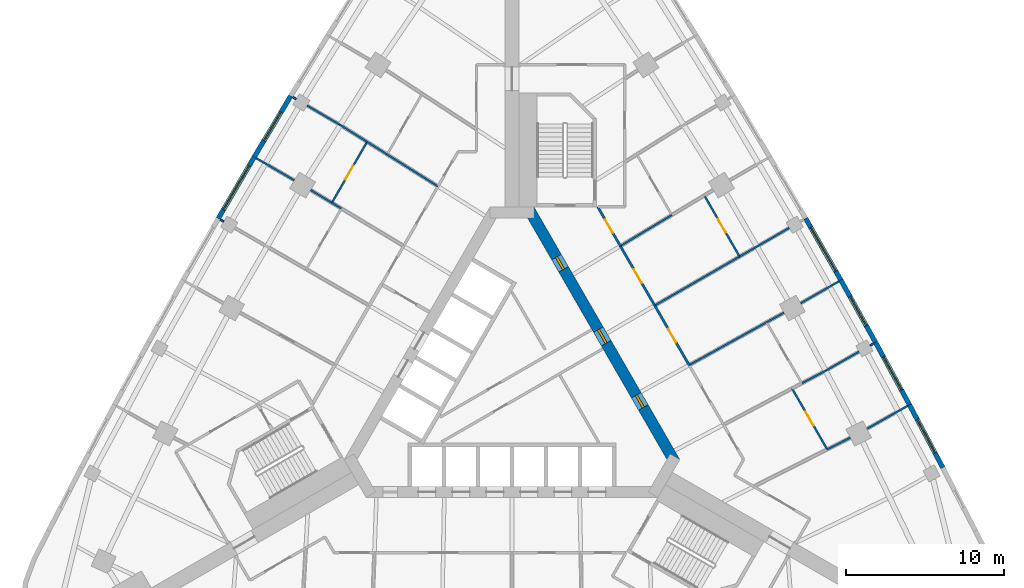
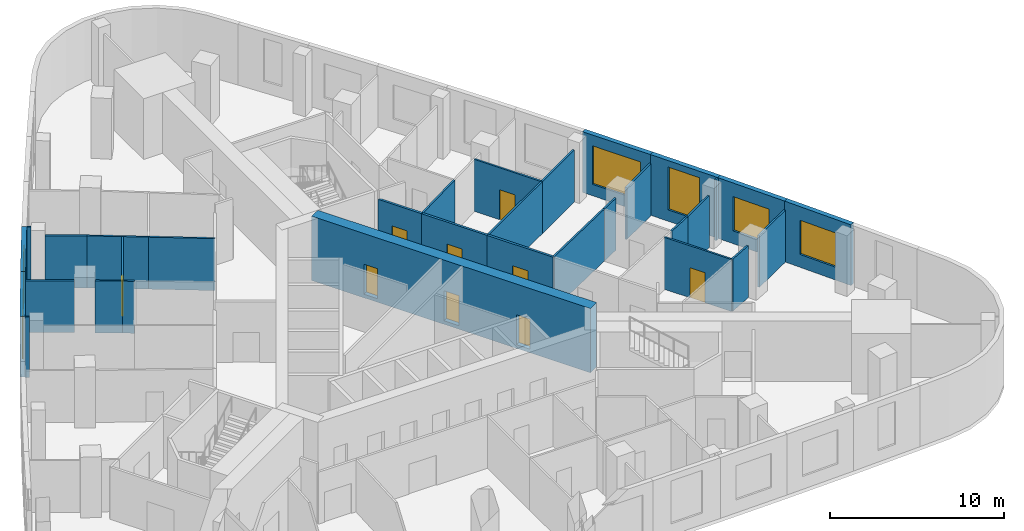
# One storey, part 8 of 11: 33 walls, 9 doors, 6 windows, 15 openings.
"""IFC4 building model written with IfcOpenShell, lengths in metres."""

from ifc_helpers import new_model, si_unit, direction, frame, frame_2d, origin, place, context, subcontext, project, spatial, rectangle, extrude, material, layer, layer_set, type_object, element, fill, save


model = new_model("IFC4")

# Units and contexts
model_context = context("Model", 3, precision=1e-05, world=origin(), true_north=direction((0.0, 1.0)))
body_context = subcontext(model_context, "Body", "Model", "MODEL_VIEW")
ifc_project = project(units=[si_unit("LENGTHUNIT", "METRE"), si_unit("AREAUNIT", "SQUARE_METRE"), si_unit("VOLUMEUNIT", "CUBIC_METRE"), si_unit("PLANEANGLEUNIT", "RADIAN"), si_unit("MASSUNIT", "GRAM", prefix="KILO")], contexts=[model_context])

# Site, building, storey
site_placement = place(None, origin())
site = spatial("IfcSite", under=ifc_project, at=site_placement, CompositionType="ELEMENT")
building_placement = place(site_placement, origin())
building = spatial("IfcBuilding", under=site, at=building_placement, Name="Noor Cloister Tower", CompositionType="ELEMENT")
storey_placement = place(building_placement, frame((0.0, 0.0, 6.0)))
storey = spatial("IfcBuildingStorey", under=building, at=storey_placement, Name="L01", CompositionType="ELEMENT", Elevation=6.0)

# Wall, openings, doors
ifc_material_1 = material(Name="Concrete C80/95", Category="concrete")
ifc_layer_1 = layer(ifc_material_1, 0.699951171875)
ifc_layer_set_1 = layer_set([ifc_layer_1], Name="Core wall 700 C80/95")
wall_type_1 = type_object("IfcWallType", Name="Core wall 700 C80/95", PredefinedType="SHEAR", material=ifc_layer_set_1)
wall_1_placement = place(storey_placement, frame((10.311279296875, -4.703125, -0.25), z_axis=(0.0, 0.0, 1.0), x_axis=(-0.500001446645, 0.866024568562, 0.0)))
wall_1 = element("IfcWall", 1, at=wall_1_placement, inside=storey, type_object=wall_type_1, Name="Core wall L01 3", PredefinedType="SHEAR", context=body_context, shape_type="SweptSolid", body=[
    extrude(rectangle(XDim=18.45751953125, YDim=0.699951171875, at=frame_2d((9.228759765625, 0.0))), origin(), (0.0, 0.0, 1.0), 4.5),
])
opening_1_placement = place(wall_1_placement, frame((8.699951171875, 0.0, 0.25)))
opening_1 = element("IfcOpeningElement", 2, at=opening_1_placement, cuts=wall_1, Name="Opening L01-901", PredefinedType="OPENING", context=body_context, shape_type="SweptSolid", body=[
    extrude(rectangle(XDim=1.0, YDim=2.10009765625, at=frame_2d((0.5, 1.050048828125))), frame((0.0, 0.35986328125, 0.0), z_axis=(0.0, -1.0, 0.0), x_axis=(1.0, 0.0, 0.0)), (0.0, 0.0, 1.0), 0.719970703125),
])
opening_2_placement = place(wall_1_placement, frame((4.001953125, 0.0, 0.25)))
opening_2 = element("IfcOpeningElement", 3, at=opening_2_placement, cuts=wall_1, Name="Opening L01-902", PredefinedType="OPENING", context=body_context, shape_type="SweptSolid", body=[
    extrude(rectangle(XDim=0.89990234375, YDim=2.10009765625, at=frame_2d((0.449951171875, 1.050048828125))), frame((0.0, 0.35986328125, 0.0), z_axis=(0.0, -1.0, 0.0), x_axis=(1.0, 0.0, 0.0)), (0.0, 0.0, 1.0), 0.719970703125),
])
opening_3_placement = place(wall_1_placement, frame((14.093017578125, 0.0, 0.25)))
opening_3 = element("IfcOpeningElement", 4, at=opening_3_placement, cuts=wall_1, Name="Opening L01-903", PredefinedType="OPENING", context=body_context, shape_type="SweptSolid", body=[
    extrude(rectangle(XDim=0.89990234375, YDim=2.10009765625, at=frame_2d((0.449951171875, 1.050048828125))), frame((0.0, 0.35986328125, 0.0), z_axis=(0.0, -1.0, 0.0), x_axis=(1.0, 0.0, 0.0)), (0.0, 0.0, 1.0), 0.719970703125),
])
ifc_material_2 = material(Name="Steel", Category="steel")
door_type_1 = type_object("IfcDoorType", Name="Core door 1000 x 2100 FD120", OperationType="SINGLE_SWING_LEFT", PredefinedType="DOOR", material=ifc_material_2)
door_1_placement = place(opening_1_placement, origin())
door_1 = element("IfcDoor", 5, at=door_1_placement, inside=storey, type_object=door_type_1, Name="Core door 1 L01", OperationType="SINGLE_SWING_LEFT", OverallHeight=2.10009765625, OverallWidth=1.0, PredefinedType="DOOR", context=body_context, shape_type="SweptSolid", body=[
    extrude(rectangle(XDim=1.0, YDim=2.10009765625, at=frame_2d((0.5, 1.050048828125))), frame((0.0, 0.074951171875, 0.0), z_axis=(0.0, -1.0, 0.0), x_axis=(1.0, 0.0, 0.0)), (0.0, 0.0, 1.0), 0.14990234375),
])
fill(opening_1, door_1)
ifc_material_3 = material(Name="Steel", Category="steel")
door_type_2 = type_object("IfcDoorType", Name="Core door 900 x 2100 FD120", OperationType="SINGLE_SWING_LEFT", PredefinedType="DOOR", material=ifc_material_3)
door_2_placement = place(opening_2_placement, origin())
door_2 = element("IfcDoor", 6, at=door_2_placement, inside=storey, type_object=door_type_2, Name="Core door 2 L01", OperationType="SINGLE_SWING_RIGHT", OverallHeight=2.10009765625, OverallWidth=0.89990234375, PredefinedType="DOOR", context=body_context, shape_type="SweptSolid", body=[
    extrude(rectangle(XDim=0.89990234375, YDim=2.10009765625, at=frame_2d((0.449951171875, 1.050048828125))), frame((0.0, 0.074951171875, 0.0), z_axis=(0.0, -1.0, 0.0), x_axis=(1.0, 0.0, 0.0)), (0.0, 0.0, 1.0), 0.14990234375),
])
fill(opening_2, door_2)
door_3_placement = place(opening_3_placement, origin())
door_3 = element("IfcDoor", 7, at=door_3_placement, inside=storey, type_object=door_type_2, Name="Core door 3 L01", OperationType="SINGLE_SWING_LEFT", OverallHeight=2.10009765625, OverallWidth=0.89990234375, PredefinedType="DOOR", context=body_context, shape_type="SweptSolid", body=[
    extrude(rectangle(XDim=0.89990234375, YDim=2.10009765625, at=frame_2d((0.449951171875, 1.050048828125))), frame((0.0, 0.074951171875, 0.0), z_axis=(0.0, -1.0, 0.0), x_axis=(1.0, 0.0, 0.0)), (0.0, 0.0, 1.0), 0.14990234375),
])
fill(opening_3, door_3)

# Wall, opening, door
ifc_material_4 = material(Name="Plasterboard on steel studs", Category="steel")
ifc_layer_2 = layer(ifc_material_4, 0.14990234375)
ifc_layer_set_2 = layer_set([ifc_layer_2], Name="Corridor wall 150")
wall_type_2 = type_object("IfcWallType", Name="Corridor wall 150", PredefinedType="PARTITIONING", material=ifc_layer_set_2)
wall_2_placement = place(storey_placement, frame((11.2060546875, 1.446044921875, 0.0), z_axis=(0.0, 0.0, 1.0), x_axis=(-0.500044734646, 0.865999574684, 0.0)))
wall_2 = element("IfcWall", 8, at=wall_2_placement, inside=storey, type_object=wall_type_2, Name="Partition", PredefinedType="PARTITIONING", context=body_context, shape_type="SweptSolid", body=[
    extrude(rectangle(XDim=4.349609375, YDim=0.14990234375, at=frame_2d((2.1748046875, 0.0))), origin(), (0.0, 0.0, 1.0), 3.637939453125),
])
opening_4_placement = place(wall_2_placement, frame((1.64990234375, 0.0, 0.0)))
opening_4 = element("IfcOpeningElement", 9, at=opening_4_placement, cuts=wall_2, Name="Opening L01-018", PredefinedType="OPENING", context=body_context, shape_type="SweptSolid", body=[
    extrude(rectangle(XDim=1.0, YDim=2.10009765625, at=frame_2d((0.5, 1.050048828125))), frame((0.0, 0.0849609375, 0.0), z_axis=(0.0, -1.0, 0.0), x_axis=(1.0, 0.0, 0.0)), (0.0, 0.0, 1.0), 0.169921875),
])
ifc_material_5 = material(Name="Timber door leaf", Category="wood")
door_type_3 = type_object("IfcDoorType", Name="Clinic room door 1000", OperationType="SINGLE_SWING_LEFT", PredefinedType="DOOR", material=ifc_material_5)
door_4_placement = place(opening_4_placement, origin())
door_4 = element("IfcDoor", 10, at=door_4_placement, inside=storey, type_object=door_type_3, Name="Door L01-018", OperationType="SINGLE_SWING_RIGHT", OverallHeight=2.10009765625, OverallWidth=1.0, PredefinedType="DOOR", context=body_context, shape_type="SweptSolid", body=[
    extrude(rectangle(XDim=1.0, YDim=2.10009765625, at=frame_2d((0.5, 1.050048828125))), frame((0.0, 0.02490234375, 0.0), z_axis=(0.0, -1.0, 0.0), x_axis=(1.0, 0.0, 0.0)), (0.0, 0.0, 1.0), 0.050048828125),
])
fill(opening_4, door_4)

wall_3_placement = place(storey_placement, frame((9.030029296875, 5.215087890625, 0.0), z_axis=(0.0, 0.0, 1.0), x_axis=(-0.500070818246, 0.86598451299, 0.0)))
wall_3 = element("IfcWall", 11, at=wall_3_placement, inside=storey, type_object=wall_type_2, Name="Partition", PredefinedType="PARTITIONING", context=body_context, shape_type="SweptSolid", body=[
    extrude(rectangle(XDim=4.347412109375, YDim=0.14990234375, at=frame_2d((2.173828125, 0.0))), origin(), (0.0, 0.0, 1.0), 3.637939453125),
])
opening_5_placement = place(wall_3_placement, frame((1.64990234375, 0.0, 0.0)))
opening_5 = element("IfcOpeningElement", 12, at=opening_5_placement, cuts=wall_3, Name="Opening L01-020", PredefinedType="OPENING", context=body_context, shape_type="SweptSolid", body=[
    extrude(rectangle(XDim=1.0, YDim=2.10009765625, at=frame_2d((0.5, 1.050048828125))), frame((0.0, 0.0849609375, 0.0), z_axis=(0.0, -1.0, 0.0), x_axis=(1.0, 0.0, 0.0)), (0.0, 0.0, 1.0), 0.169921875),
])
door_5_placement = place(opening_5_placement, origin())
door_5 = element("IfcDoor", 13, at=door_5_placement, inside=storey, type_object=door_type_3, Name="Door L01-020", OperationType="SINGLE_SWING_RIGHT", OverallHeight=2.10009765625, OverallWidth=1.0, PredefinedType="DOOR", context=body_context, shape_type="SweptSolid", body=[
    extrude(rectangle(XDim=1.0, YDim=2.10009765625, at=frame_2d((0.5, 1.050048828125))), frame((0.0, 0.02490234375, 0.0), z_axis=(0.0, -1.0, 0.0), x_axis=(1.0, 0.0, 0.0)), (0.0, 0.0, 1.0), 0.050048828125),
])
fill(opening_5, door_5)

wall_4_placement = place(storey_placement, frame((6.85498046875, 8.98193359375, 0.0), z_axis=(0.0, 0.0, 1.0), x_axis=(-0.500176439337, 0.865923512519, 0.0)))
wall_4 = element("IfcWall", 14, at=wall_4_placement, inside=storey, type_object=wall_type_2, Name="Partition", PredefinedType="PARTITIONING", context=body_context, shape_type="SweptSolid", body=[
    extrude(rectangle(XDim=2.85498046875, YDim=0.14990234375, at=frame_2d((1.427490234375, 0.0))), origin(), (0.0, 0.0, 1.0), 3.637939453125),
])
opening_6_placement = place(wall_4_placement, frame((0.949951171875, 0.0, 0.0)))
opening_6 = element("IfcOpeningElement", 15, at=opening_6_placement, cuts=wall_4, Name="Opening L01-024", PredefinedType="OPENING", context=body_context, shape_type="SweptSolid", body=[
    extrude(rectangle(XDim=1.0, YDim=2.10009765625, at=frame_2d((0.5, 1.050048828125))), frame((0.0, 0.0849609375, 0.0), z_axis=(0.0, -1.0, 0.0), x_axis=(1.0, 0.0, 0.0)), (0.0, 0.0, 1.0), 0.169921875),
])
door_6_placement = place(opening_6_placement, origin())
door_6 = element("IfcDoor", 16, at=door_6_placement, inside=storey, type_object=door_type_3, Name="Door L01-024", OperationType="SINGLE_SWING_LEFT", OverallHeight=2.10009765625, OverallWidth=1.0, PredefinedType="DOOR", context=body_context, shape_type="SweptSolid", body=[
    extrude(rectangle(XDim=1.0, YDim=2.10009765625, at=frame_2d((0.5, 1.050048828125))), frame((0.0, 0.02490234375, 0.0), z_axis=(0.0, -1.0, 0.0), x_axis=(1.0, 0.0, 0.0)), (0.0, 0.0, 1.0), 0.050048828125),
])
fill(opening_6, door_6)

# Wall, opening, window
ifc_material_6 = material(Name="Limestone", Category="masonry")
ifc_layer_3 = layer(ifc_material_6, 0.300048828125)
ifc_layer_set_3 = layer_set([ifc_layer_3], Name="Limestone panel wall 300")
wall_type_3 = type_object("IfcWallType", Name="Limestone panel wall 300", PredefinedType="NOTDEFINED", material=ifc_layer_set_3)
wall_5_placement = place(storey_placement, frame((-16.312744140625, 14.61376953125, 0.0), z_axis=(0.0, 0.0, 1.0), x_axis=(0.513257465408, 0.858234684805, 0.0)))
wall_5 = element("IfcWall", 17, at=wall_5_placement, inside=storey, type_object=wall_type_3, Name="Limestone wall L01 NW 4", PredefinedType="NOTDEFINED", context=body_context, shape_type="SweptSolid", body=[
    extrude(rectangle(XDim=4.49609375, YDim=0.300048828125, at=frame_2d((2.248046875, 0.0))), origin(), (0.0, 0.0, 1.0), 4.25),
])
opening_7_placement = place(wall_5_placement, frame((1.197998046875, 0.0, 0.800048828125)))
opening_7 = element("IfcOpeningElement", 18, at=opening_7_placement, cuts=wall_5, Name="Opening L01-W04", PredefinedType="OPENING", context=body_context, shape_type="SweptSolid", body=[
    extrude(rectangle(XDim=2.10009765625, YDim=3.0, at=frame_2d((1.050048828125, 1.5))), frame((0.0, 0.16015625, 0.0), z_axis=(0.0, -1.0, 0.0), x_axis=(1.0, 0.0, 0.0)), (0.0, 0.0, 1.0), 0.320068359375),
])
ifc_material_7 = material(Name="Aluminium 6063-T6 anodised", Category="aluminium")
window_type_1 = type_object("IfcWindowType", Name="Therapy window 2100 x 3000", PartitioningType="DOUBLE_PANEL_HORIZONTAL", PredefinedType="WINDOW", material=ifc_material_7)
window_1_placement = place(opening_7_placement, origin())
window_1 = element("IfcWindow", 19, at=window_1_placement, inside=storey, type_object=window_type_1, Name="Window L01 4", OverallHeight=3.0, OverallWidth=2.10009765625, PartitioningType="DOUBLE_PANEL_HORIZONTAL", PredefinedType="WINDOW", context=body_context, shape_type="SweptSolid", body=[
    extrude(rectangle(XDim=2.10009765625, YDim=3.0, at=frame_2d((1.050048828125, 1.5))), frame((0.0, 0.030029296875, 0.0), z_axis=(0.0, -1.0, 0.0), x_axis=(1.0, 0.0, 0.0)), (0.0, 0.0, 1.0), 0.06005859375),
])
fill(opening_7, window_1)

wall_6_placement = place(storey_placement, frame((-18.58203125, 10.729736328125, 0.0), z_axis=(0.0, 0.0, 1.0), x_axis=(0.50445499627, 0.86343798662, 0.0)))
wall_6 = element("IfcWall", 20, at=wall_6_placement, inside=storey, type_object=wall_type_3, Name="Limestone wall L01 NW 5", PredefinedType="NOTDEFINED", context=body_context, shape_type="SweptSolid", body=[
    extrude(rectangle(XDim=4.49609375, YDim=0.300048828125, at=frame_2d((2.248046875, 0.0))), origin(), (0.0, 0.0, 1.0), 4.25),
])
opening_8_placement = place(wall_6_placement, frame((0.64794921875, 0.0, 0.800048828125)))
opening_8 = element("IfcOpeningElement", 21, at=opening_8_placement, cuts=wall_6, Name="Opening L01-W05", PredefinedType="OPENING", context=body_context, shape_type="SweptSolid", body=[
    extrude(rectangle(XDim=3.199951171875, YDim=2.699951171875, at=frame_2d((1.60009765625, 1.35009765625))), frame((0.0, 0.16015625, 0.0), z_axis=(0.0, -1.0, 0.0), x_axis=(1.0, 0.0, 0.0)), (0.0, 0.0, 1.0), 0.320068359375),
])
ifc_material_8 = material(Name="Aluminium 6063-T6 anodised", Category="aluminium")
window_type_2 = type_object("IfcWindowType", Name="Waiting room window 3200 x 2700", PartitioningType="TRIPLE_PANEL_VERTICAL", PredefinedType="WINDOW", material=ifc_material_8)
window_2_placement = place(opening_8_placement, origin())
window_2 = element("IfcWindow", 22, at=window_2_placement, inside=storey, type_object=window_type_2, Name="Window L01 5", OverallHeight=2.699951171875, OverallWidth=3.199951171875, PartitioningType="TRIPLE_PANEL_VERTICAL", PredefinedType="WINDOW", context=body_context, shape_type="SweptSolid", body=[
    extrude(rectangle(XDim=3.199951171875, YDim=2.699951171875, at=frame_2d((1.60009765625, 1.35009765625))), frame((0.0, 0.030029296875, 0.0), z_axis=(0.0, -1.0, 0.0), x_axis=(1.0, 0.0, 0.0)), (0.0, 0.0, 1.0), 0.06005859375),
])
fill(opening_8, window_2)

wall_7_placement = place(storey_placement, frame((25.149658203125, -1.061767578125, 0.0), z_axis=(0.0, 0.0, 1.0), x_axis=(0.468566202388, -0.883428386447, 0.0)))
wall_7 = element("IfcWall", 23, at=wall_7_placement, inside=storey, type_object=wall_type_3, Name="Limestone wall L01 NE 2", PredefinedType="NOTDEFINED", context=body_context, shape_type="SweptSolid", body=[
    extrude(rectangle(XDim=4.49609375, YDim=0.300048828125, at=frame_2d((2.248046875, 0.0))), origin(), (0.0, 0.0, 1.0), 4.25),
])
opening_9_placement = place(wall_7_placement, frame((1.048095703125, 0.0, 0.89990234375)))
opening_9 = element("IfcOpeningElement", 24, at=opening_9_placement, cuts=wall_7, Name="Opening L01-W22", PredefinedType="OPENING", context=body_context, shape_type="SweptSolid", body=[
    extrude(rectangle(XDim=2.39990234375, YDim=2.39990234375, at=frame_2d((1.199951171875, 1.199951171875))), frame((0.0, 0.16015625, 0.0), z_axis=(0.0, -1.0, 0.0), x_axis=(1.0, 0.0, 0.0)), (0.0, 0.0, 1.0), 0.320068359375),
])
ifc_material_9 = material(Name="Aluminium 6063-T6 anodised", Category="aluminium")
window_type_3 = type_object("IfcWindowType", Name="Clinic window 2400 x 2400", PartitioningType="DOUBLE_PANEL_VERTICAL", PredefinedType="WINDOW", material=ifc_material_9)
window_3_placement = place(opening_9_placement, origin())
window_3 = element("IfcWindow", 25, at=window_3_placement, inside=storey, type_object=window_type_3, Name="Window L01 22", OverallHeight=2.39990234375, OverallWidth=2.39990234375, PartitioningType="DOUBLE_PANEL_VERTICAL", PredefinedType="WINDOW", context=body_context, shape_type="SweptSolid", body=[
    extrude(rectangle(XDim=2.39990234375, YDim=2.39990234375, at=frame_2d((1.199951171875, 1.199951171875))), frame((0.0, 0.030029296875, 0.0), z_axis=(0.0, -1.0, 0.0), x_axis=(1.0, 0.0, 0.0)), (0.0, 0.0, 1.0), 0.06005859375),
])
fill(opening_9, window_3)

wall_8_placement = place(storey_placement, frame((23.001220703125, 2.890380859375, 0.0), z_axis=(0.0, 0.0, 1.0), x_axis=(0.477577109439, -0.878589838628, 0.0)))
wall_8 = element("IfcWall", 26, at=wall_8_placement, inside=storey, type_object=wall_type_3, Name="Limestone wall L01 NE 3", PredefinedType="NOTDEFINED", context=body_context, shape_type="SweptSolid", body=[
    extrude(rectangle(XDim=4.49609375, YDim=0.300048828125, at=frame_2d((2.248046875, 0.0))), origin(), (0.0, 0.0, 1.0), 4.25),
])
opening_10_placement = place(wall_8_placement, frame((1.048095703125, 0.0, 0.89990234375)))
opening_10 = element("IfcOpeningElement", 27, at=opening_10_placement, cuts=wall_8, Name="Opening L01-W23", PredefinedType="OPENING", context=body_context, shape_type="SweptSolid", body=[
    extrude(rectangle(XDim=2.39990234375, YDim=2.39990234375, at=frame_2d((1.199951171875, 1.199951171875))), frame((0.0, 0.16015625, 0.0), z_axis=(0.0, -1.0, 0.0), x_axis=(1.0, 0.0, 0.0)), (0.0, 0.0, 1.0), 0.320068359375),
])
window_4_placement = place(opening_10_placement, origin())
window_4 = element("IfcWindow", 28, at=window_4_placement, inside=storey, type_object=window_type_3, Name="Window L01 23", OverallHeight=2.39990234375, OverallWidth=2.39990234375, PartitioningType="DOUBLE_PANEL_VERTICAL", PredefinedType="WINDOW", context=body_context, shape_type="SweptSolid", body=[
    extrude(rectangle(XDim=2.39990234375, YDim=2.39990234375, at=frame_2d((1.199951171875, 1.199951171875))), frame((0.0, 0.030029296875, 0.0), z_axis=(0.0, -1.0, 0.0), x_axis=(1.0, 0.0, 0.0)), (0.0, 0.0, 1.0), 0.06005859375),
])
fill(opening_10, window_4)

wall_9_placement = place(storey_placement, frame((20.812255859375, 6.8203125, 0.0), z_axis=(0.0, 0.0, 1.0), x_axis=(0.486606252415, -0.873621402617, 0.0)))
wall_9 = element("IfcWall", 29, at=wall_9_placement, inside=storey, type_object=wall_type_3, Name="Limestone wall L01 NE 4", PredefinedType="NOTDEFINED", context=body_context, shape_type="SweptSolid", body=[
    extrude(rectangle(XDim=4.495849609375, YDim=0.300048828125, at=frame_2d((2.248046875, 0.0))), origin(), (0.0, 0.0, 1.0), 4.25),
])
opening_11_placement = place(wall_9_placement, frame((1.197998046875, 0.0, 0.800048828125)))
opening_11 = element("IfcOpeningElement", 30, at=opening_11_placement, cuts=wall_9, Name="Opening L01-W24", PredefinedType="OPENING", context=body_context, shape_type="SweptSolid", body=[
    extrude(rectangle(XDim=2.10009765625, YDim=3.0, at=frame_2d((1.050048828125, 1.5))), frame((0.0, 0.16015625, 0.0), z_axis=(0.0, -1.0, 0.0), x_axis=(1.0, 0.0, 0.0)), (0.0, 0.0, 1.0), 0.320068359375),
])
window_5_placement = place(opening_11_placement, origin())
window_5 = element("IfcWindow", 31, at=window_5_placement, inside=storey, type_object=window_type_1, Name="Window L01 24", OverallHeight=3.0, OverallWidth=2.10009765625, PartitioningType="DOUBLE_PANEL_HORIZONTAL", PredefinedType="WINDOW", context=body_context, shape_type="SweptSolid", body=[
    extrude(rectangle(XDim=2.10009765625, YDim=3.0, at=frame_2d((1.050048828125, 1.5))), frame((0.0, 0.030029296875, 0.0), z_axis=(0.0, -1.0, 0.0), x_axis=(1.0, 0.0, 0.0)), (0.0, 0.0, 1.0), 0.06005859375),
])
fill(opening_11, window_5)

wall_10_placement = place(storey_placement, frame((18.583251953125, 10.7275390625, 0.0), z_axis=(0.0, 0.0, 1.0), x_axis=(0.495524760411, -0.868593812907, 0.0)))
wall_10 = element("IfcWall", 32, at=wall_10_placement, inside=storey, type_object=wall_type_3, Name="Limestone wall L01 NE 5", PredefinedType="NOTDEFINED", context=body_context, shape_type="SweptSolid", body=[
    extrude(rectangle(XDim=4.495849609375, YDim=0.300048828125, at=frame_2d((2.248046875, 0.0))), origin(), (0.0, 0.0, 1.0), 4.25),
])
opening_12_placement = place(wall_10_placement, frame((0.64794921875, 0.0, 0.800048828125)))
opening_12 = element("IfcOpeningElement", 33, at=opening_12_placement, cuts=wall_10, Name="Opening L01-W25", PredefinedType="OPENING", context=body_context, shape_type="SweptSolid", body=[
    extrude(rectangle(XDim=3.199951171875, YDim=2.699951171875, at=frame_2d((1.60009765625, 1.35009765625))), frame((0.0, 0.16015625, 0.0), z_axis=(0.0, -1.0, 0.0), x_axis=(1.0, 0.0, 0.0)), (0.0, 0.0, 1.0), 0.320068359375),
])
window_6_placement = place(opening_12_placement, origin())
window_6 = element("IfcWindow", 34, at=window_6_placement, inside=storey, type_object=window_type_2, Name="Window L01 25", OverallHeight=2.699951171875, OverallWidth=3.199951171875, PartitioningType="TRIPLE_PANEL_VERTICAL", PredefinedType="WINDOW", context=body_context, shape_type="SweptSolid", body=[
    extrude(rectangle(XDim=3.199951171875, YDim=2.699951171875, at=frame_2d((1.60009765625, 1.35009765625))), frame((0.0, 0.030029296875, 0.0), z_axis=(0.0, -1.0, 0.0), x_axis=(1.0, 0.0, 0.0)), (0.0, 0.0, 1.0), 0.06005859375),
])
fill(opening_12, window_6)

# Walls
ifc_material_10 = material(Name="Plasterboard on steel studs", Category="steel")
ifc_layer_4 = layer(ifc_material_10, 0.1201171875)
ifc_layer_set_4 = layer_set([ifc_layer_4], Name="Partition wall 120")
wall_type_4 = type_object("IfcWallType", Name="Partition wall 120", PredefinedType="PARTITIONING", material=ifc_layer_set_4)
wall_11_placement = place(storey_placement, frame((21.40087890625, -3.15087890625, 0.0), z_axis=(0.0, 0.0, 1.0), x_axis=(-0.892653768212, -0.450742997834, 0.0)))
element("IfcWall", 35, at=wall_11_placement, inside=storey, type_object=wall_type_4, Name="Partition", PredefinedType="PARTITIONING", context=body_context, shape_type="SweptSolid", body=[
    extrude(rectangle(XDim=1.630859375, YDim=0.1201171875, at=frame_2d((0.8154296875, 0.0))), origin(), (0.0, 0.0, 1.0), 3.637939453125),
])
wall_12_placement = place(storey_placement, frame((25.02001953125, -1.137939453125, 0.0), z_axis=(0.0, 0.0, 1.0), x_axis=(-0.870620069476, -0.491955988505, 0.0)))
element("IfcWall", 36, at=wall_12_placement, inside=storey, type_object=wall_type_4, Name="Partition", PredefinedType="PARTITIONING", context=body_context, shape_type="SweptSolid", body=[
    extrude(rectangle(XDim=2.939453125, YDim=0.1201171875, at=frame_2d((1.4697265625, 0.0))), origin(), (0.0, 0.0, 1.0), 3.633056640625),
])

# Wall, opening, door
wall_13_placement = place(storey_placement, frame((19.944091796875, -3.885986328125, 0.0), z_axis=(0.0, 0.0, 1.0), x_axis=(-0.500092923031, 0.865971748, 0.0)))
wall_13 = element("IfcWall", 37, at=wall_13_placement, inside=storey, type_object=wall_type_4, Name="Partition", PredefinedType="PARTITIONING", context=body_context, shape_type="SweptSolid", body=[
    extrude(rectangle(XDim=4.449462890625, YDim=0.1201171875, at=frame_2d((2.224609375, 0.0))), origin(), (0.0, 0.0, 1.0), 3.637939453125),
])
opening_13_placement = place(wall_13_placement, frame((1.75, 0.0, 0.0)))
opening_13 = element("IfcOpeningElement", 38, at=opening_13_placement, cuts=wall_13, Name="Opening L01-013", PredefinedType="OPENING", context=body_context, shape_type="SweptSolid", body=[
    extrude(rectangle(XDim=1.0, YDim=2.10009765625, at=frame_2d((0.5, 1.050048828125))), frame((0.0, 0.070068359375, 0.0), z_axis=(0.0, -1.0, 0.0), x_axis=(1.0, 0.0, 0.0)), (0.0, 0.0, 1.0), 0.14013671875),
])
door_7_placement = place(opening_13_placement, origin())
door_7 = element("IfcDoor", 39, at=door_7_placement, inside=storey, type_object=door_type_3, Name="Door L01-013", OperationType="SINGLE_SWING_LEFT", OverallHeight=2.10009765625, OverallWidth=1.0, PredefinedType="DOOR", context=body_context, shape_type="SweptSolid", body=[
    extrude(rectangle(XDim=1.0, YDim=2.10009765625, at=frame_2d((0.5, 1.050048828125))), frame((0.0, 0.02490234375, 0.0), z_axis=(0.0, -1.0, 0.0), x_axis=(1.0, 0.0, 0.0)), (0.0, 0.0, 1.0), 0.050048828125),
])
fill(opening_13, door_7)

# Walls
wall_14_placement = place(storey_placement, frame((21.958984375, 2.294921875, 0.0), z_axis=(0.0, 0.0, 1.0), x_axis=(-0.868831589773, -0.49510773435, 0.0)))
element("IfcWall", 40, at=wall_14_placement, inside=storey, type_object=wall_type_4, Name="Partition", PredefinedType="PARTITIONING", context=body_context, shape_type="SweptSolid", body=[
    extrude(rectangle(XDim=2.3974609375, YDim=0.1201171875, at=frame_2d((1.19873046875, 0.0))), origin(), (0.0, 0.0, 1.0), 3.637939453125),
])
wall_15_placement = place(storey_placement, frame((19.875, 1.10791015625, 0.0), z_axis=(0.0, 0.0, 1.0), x_axis=(-0.884094940295, -0.467307325584, 0.0)))
element("IfcWall", 41, at=wall_15_placement, inside=storey, type_object=wall_type_4, Name="Partition", PredefinedType="PARTITIONING", context=body_context, shape_type="SweptSolid", body=[
    extrude(rectangle(XDim=1.73974609375, YDim=0.1201171875, at=frame_2d((0.869873046875, 0.0))), origin(), (0.0, 0.0, 1.0), 3.637939453125),
])
wall_16_placement = place(storey_placement, frame((22.87109375, 2.81494140625, 0.0), z_axis=(0.0, 0.0, 1.0), x_axis=(-0.867276603101, -0.497826569916, 0.0)))
element("IfcWall", 42, at=wall_16_placement, inside=storey, type_object=wall_type_4, Name="Partition", PredefinedType="PARTITIONING", context=body_context, shape_type="SweptSolid", body=[
    extrude(rectangle(XDim=0.2490234375, YDim=0.1201171875, at=frame_2d((0.12451171875, 0.0))), origin(), (0.0, 0.0, 1.0), 4.25),
])
wall_17_placement = place(storey_placement, frame((16.10791015625, 4.155029296875, 0.0), z_axis=(0.0, 0.0, 1.0), x_axis=(-0.87515505143, -0.483842573526, 0.0)))
element("IfcWall", 43, at=wall_17_placement, inside=storey, type_object=wall_type_4, Name="Partition", PredefinedType="PARTITIONING", context=body_context, shape_type="SweptSolid", body=[
    extrude(rectangle(XDim=5.598876953125, YDim=0.1201171875, at=frame_2d((2.79931640625, 0.0))), origin(), (0.0, 0.0, 1.0), 3.637939453125),
])
wall_18_placement = place(storey_placement, frame((17.214111328125, 4.76708984375, 0.0), z_axis=(0.0, 0.0, 1.0), x_axis=(-0.874994011196, -0.484133742235, 0.0)))
element("IfcWall", 44, at=wall_18_placement, inside=storey, type_object=wall_type_4, Name="Partition", PredefinedType="PARTITIONING", context=body_context, shape_type="SweptSolid", body=[
    extrude(rectangle(XDim=1.26416015625, YDim=0.1201171875, at=frame_2d((0.632080078125, 0.0))), origin(), (0.0, 0.0, 1.0), 3.637939453125),
])
wall_19_placement = place(storey_placement, frame((20.681884765625, 6.74609375, 0.0), z_axis=(0.0, 0.0, 1.0), x_axis=(-0.867283853893, -0.49781393791, 0.0)))
element("IfcWall", 45, at=wall_19_placement, inside=storey, type_object=wall_type_4, Name="Partition", PredefinedType="PARTITIONING", context=body_context, shape_type="SweptSolid", body=[
    extrude(rectangle(XDim=2.79248046875, YDim=0.1201171875, at=frame_2d((1.396240234375, 0.0))), origin(), (0.0, 0.0, 1.0), 3.633056640625),
])
wall_20_placement = place(storey_placement, frame((-18.237060546875, 10.528076171875, 0.0), z_axis=(0.0, 0.0, 1.0), x_axis=(-0.866558586415, 0.499075361355, 0.0)))
element("IfcWall", 46, at=wall_20_placement, inside=storey, type_object=wall_type_4, Name="Partition", PredefinedType="PARTITIONING", context=body_context, shape_type="SweptSolid", body=[
    extrude(rectangle(XDim=0.25048828125, YDim=0.1201171875, at=frame_2d((0.125244140625, 0.0))), origin(), (0.0, 0.0, 1.0), 4.25),
])
wall_21_placement = place(storey_placement, frame((14.39990234375, 8.31298828125, 0.0), z_axis=(0.0, 0.0, 1.0), x_axis=(-0.866114094298, -0.499846352051, 0.0)))
element("IfcWall", 47, at=wall_21_placement, inside=storey, type_object=wall_type_4, Name="Partition", PredefinedType="PARTITIONING", context=body_context, shape_type="SweptSolid", body=[
    extrude(rectangle(XDim=6.19775390625, YDim=0.1201171875, at=frame_2d((3.098876953125, 0.0))), origin(), (0.0, 0.0, 1.0), 3.637939453125),
])
wall_22_placement = place(storey_placement, frame((17.54296875, 10.1279296875, 0.0), z_axis=(0.0, 0.0, 1.0), x_axis=(-0.866039913117, -0.499974868256, 0.0)))
element("IfcWall", 48, at=wall_22_placement, inside=storey, type_object=wall_type_4, Name="Partition", PredefinedType="PARTITIONING", context=body_context, shape_type="SweptSolid", body=[
    extrude(rectangle(XDim=3.628173828125, YDim=0.1201171875, at=frame_2d((1.81396484375, 0.0))), origin(), (0.0, 0.0, 1.0), 3.637939453125),
])

# Wall, opening, door
wall_23_placement = place(storey_placement, frame((14.39892578125, 8.31396484375, 0.0), z_axis=(0.0, 0.0, 1.0), x_axis=(-0.49998599166, 0.866033491352, 0.0)))
wall_23 = element("IfcWall", 49, at=wall_23_placement, inside=storey, type_object=wall_type_4, Name="Partition", PredefinedType="PARTITIONING", context=body_context, shape_type="SweptSolid", body=[
    extrude(rectangle(XDim=4.464111328125, YDim=0.1201171875, at=frame_2d((2.23193359375, 0.0))), origin(), (0.0, 0.0, 1.0), 3.637939453125),
])
opening_14_placement = place(wall_23_placement, frame((1.75, 0.0, 0.0)))
opening_14 = element("IfcOpeningElement", 50, at=opening_14_placement, cuts=wall_23, Name="Opening L01-022", PredefinedType="OPENING", context=body_context, shape_type="SweptSolid", body=[
    extrude(rectangle(XDim=1.0, YDim=2.10009765625, at=frame_2d((0.5, 1.050048828125))), frame((0.0, 0.070068359375, 0.0), z_axis=(0.0, -1.0, 0.0), x_axis=(1.0, 0.0, 0.0)), (0.0, 0.0, 1.0), 0.14013671875),
])
door_8_placement = place(opening_14_placement, origin())
door_8 = element("IfcDoor", 51, at=door_8_placement, inside=storey, type_object=door_type_3, Name="Door L01-022", OperationType="SINGLE_SWING_LEFT", OverallHeight=2.10009765625, OverallWidth=1.0, PredefinedType="DOOR", context=body_context, shape_type="SweptSolid", body=[
    extrude(rectangle(XDim=1.0, YDim=2.10009765625, at=frame_2d((0.5, 1.050048828125))), frame((0.0, 0.02490234375, 0.0), z_axis=(0.0, -1.0, 0.0), x_axis=(1.0, 0.0, 0.0)), (0.0, 0.0, 1.0), 0.050048828125),
])
fill(opening_14, door_8)

# Walls
wall_24_placement = place(storey_placement, frame((10.111083984375, 10.94189453125, 0.0), z_axis=(0.0, 0.0, 1.0), x_axis=(-0.856624092601, -0.515941046996, 0.0)))
element("IfcWall", 52, at=wall_24_placement, inside=storey, type_object=wall_type_4, Name="Partition", PredefinedType="PARTITIONING", context=body_context, shape_type="SweptSolid", body=[
    extrude(rectangle(XDim=3.798828125, YDim=0.1201171875, at=frame_2d((1.8994140625, 0.0))), origin(), (0.0, 0.0, 1.0), 3.637939453125),
])
wall_25_placement = place(storey_placement, frame((-10.798095703125, 11.35595703125, 0.0), z_axis=(0.0, 0.0, 1.0), x_axis=(-0.856627537291, 0.515935327686, 0.0)))
element("IfcWall", 53, at=wall_25_placement, inside=storey, type_object=wall_type_4, Name="Partition", PredefinedType="PARTITIONING", context=body_context, shape_type="SweptSolid", body=[
    extrude(rectangle(XDim=0.697998046875, YDim=0.1201171875, at=frame_2d((0.34912109375, 0.0))), origin(), (0.0, 0.0, 1.0), 3.637939453125),
])
wall_26_placement = place(storey_placement, frame((-13.76904296875, 13.135009765625, 0.0), z_axis=(0.0, 0.0, 1.0), x_axis=(-0.864576979504, 0.50250039454, 0.0)))
element("IfcWall", 54, at=wall_26_placement, inside=storey, type_object=wall_type_4, Name="Partition", PredefinedType="PARTITIONING", context=body_context, shape_type="SweptSolid", body=[
    extrude(rectangle(XDim=2.792236328125, YDim=0.1201171875, at=frame_2d((1.39599609375, 0.0))), origin(), (0.0, 0.0, 1.0), 3.633056640625),
])
wall_27_placement = place(storey_placement, frame((-11.39697265625, 11.717041015625, 0.0), z_axis=(0.0, 0.0, 1.0), x_axis=(-0.85652691333, 0.516102360721, 0.0)))
element("IfcWall", 55, at=wall_27_placement, inside=storey, type_object=wall_type_4, Name="Partition", PredefinedType="PARTITIONING", context=body_context, shape_type="SweptSolid", body=[
    extrude(rectangle(XDim=1.5634765625, YDim=0.1201171875, at=frame_2d((0.78173828125, 0.0))), origin(), (0.0, 0.0, 1.0), 3.637939453125),
])

# Wall, opening, door
wall_28_placement = place(storey_placement, frame((-9.169921875, 15.572021484375, 0.0), z_axis=(0.0, 0.0, 1.0), x_axis=(-0.499902881486, -0.866081467924, 0.0)))
wall_28 = element("IfcWall", 56, at=wall_28_placement, inside=storey, type_object=wall_type_4, Name="Partition", PredefinedType="PARTITIONING", context=body_context, shape_type="SweptSolid", body=[
    extrude(rectangle(XDim=4.451171875, YDim=0.1201171875, at=frame_2d((2.2255859375, 0.0))), origin(), (0.0, 0.0, 1.0), 3.637939453125),
])
opening_15_placement = place(wall_28_placement, frame((1.75, 0.0, 0.0)))
opening_15 = element("IfcOpeningElement", 57, at=opening_15_placement, cuts=wall_28, Name="Opening L01-026", PredefinedType="OPENING", context=body_context, shape_type="SweptSolid", body=[
    extrude(rectangle(XDim=1.0, YDim=2.10009765625, at=frame_2d((0.5, 1.050048828125))), frame((0.0, 0.070068359375, 0.0), z_axis=(0.0, -1.0, 0.0), x_axis=(1.0, 0.0, 0.0)), (0.0, 0.0, 1.0), 0.14013671875),
])
door_9_placement = place(opening_15_placement, origin())
door_9 = element("IfcDoor", 58, at=door_9_placement, inside=storey, type_object=door_type_3, Name="Door L01-026", OperationType="SINGLE_SWING_LEFT", OverallHeight=2.10009765625, OverallWidth=1.0, PredefinedType="DOOR", context=body_context, shape_type="SweptSolid", body=[
    extrude(rectangle(XDim=1.0, YDim=2.10009765625, at=frame_2d((0.5, 1.050048828125))), frame((0.0, 0.02490234375, 0.0), z_axis=(0.0, -1.0, 0.0), x_axis=(1.0, 0.0, 0.0)), (0.0, 0.0, 1.0), 0.050048828125),
])
fill(opening_15, door_9)

# Walls
wall_29_placement = place(storey_placement, frame((-4.679931640625, 12.7529296875, 0.0), z_axis=(0.0, 0.0, 1.0), x_axis=(-0.846844902979, 0.531839929206, 0.0)))
element("IfcWall", 59, at=wall_29_placement, inside=storey, type_object=wall_type_4, Name="Partition", PredefinedType="PARTITIONING", context=body_context, shape_type="SweptSolid", body=[
    extrude(rectangle(XDim=3.800048828125, YDim=0.1201171875, at=frame_2d((1.89990234375, 0.0))), origin(), (0.0, 0.0, 1.0), 3.637939453125),
])
wall_30_placement = place(storey_placement, frame((-7.90087890625, 14.77587890625, 0.0), z_axis=(0.0, 0.0, 1.0), x_axis=(-0.847002237732, 0.531589323892, 0.0)))
element("IfcWall", 60, at=wall_30_placement, inside=storey, type_object=wall_type_4, Name="Partition", PredefinedType="PARTITIONING", context=body_context, shape_type="SweptSolid", body=[
    extrude(rectangle(XDim=1.503173828125, YDim=0.1201171875, at=frame_2d((0.75146484375, 0.0))), origin(), (0.0, 0.0, 1.0), 3.637939453125),
])
wall_31_placement = place(storey_placement, frame((-13.657958984375, 18.27294921875, 0.0), z_axis=(0.0, 0.0, 1.0), x_axis=(-0.863885093979, 0.503688936151, 0.0)))
element("IfcWall", 61, at=wall_31_placement, inside=storey, type_object=wall_type_4, Name="Partition", PredefinedType="PARTITIONING", context=body_context, shape_type="SweptSolid", body=[
    extrude(rectangle(XDim=0.25, YDim=0.1201171875, at=frame_2d((0.125, 0.0))), origin(), (0.0, 0.0, 1.0), 4.25),
])
wall_32_placement = place(storey_placement, frame((-9.166015625, 15.571044921875, 0.0), z_axis=(0.0, 0.0, 1.0), x_axis=(-0.84701751501, 0.531564981227, 0.0)))
element("IfcWall", 62, at=wall_32_placement, inside=storey, type_object=wall_type_4, Name="Partition", PredefinedType="PARTITIONING", context=body_context, shape_type="SweptSolid", body=[
    extrude(rectangle(XDim=2.044677734375, YDim=0.1201171875, at=frame_2d((1.0224609375, 0.0))), origin(), (0.0, 0.0, 1.0), 3.637939453125),
])
wall_33_placement = place(storey_placement, frame((-10.89794921875, 16.657958984375, 0.0), z_axis=(0.0, 0.0, 1.0), x_axis=(-0.863161652457, 0.504927679701, 0.0)))
element("IfcWall", 63, at=wall_33_placement, inside=storey, type_object=wall_type_4, Name="Partition", PredefinedType="PARTITIONING", context=body_context, shape_type="SweptSolid", body=[
    extrude(rectangle(XDim=2.398193359375, YDim=0.1201171875, at=frame_2d((1.19921875, 0.0))), origin(), (0.0, 0.0, 1.0), 3.637939453125),
])

save(model, "model.ifc")
